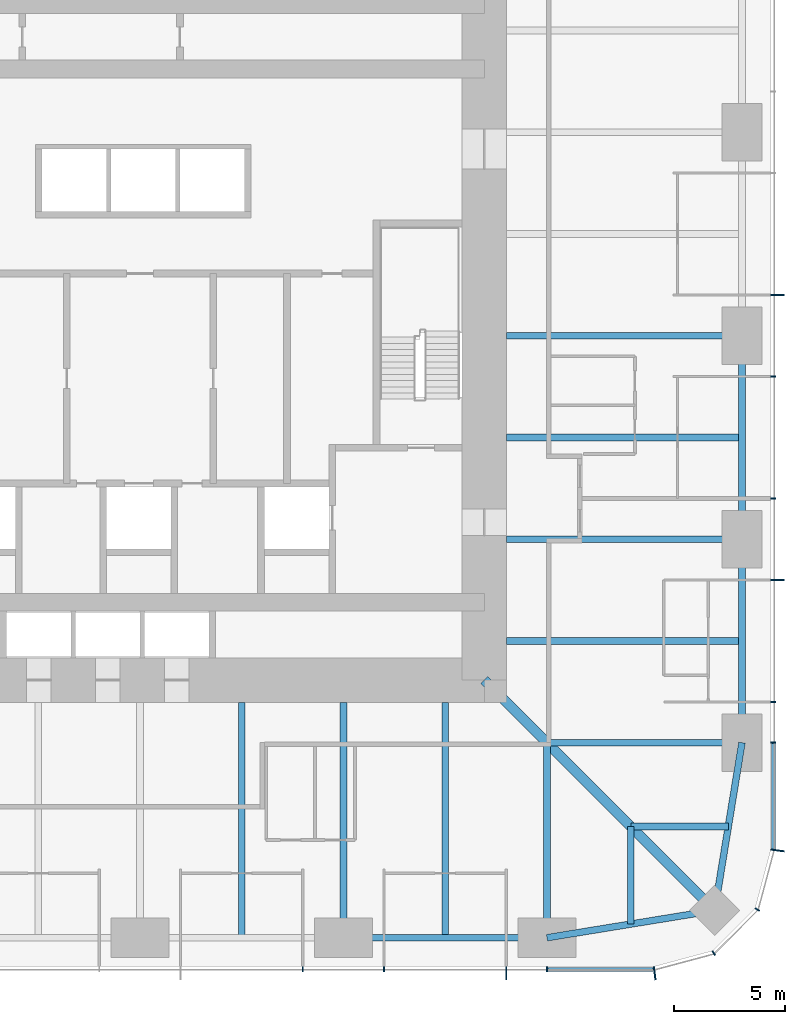
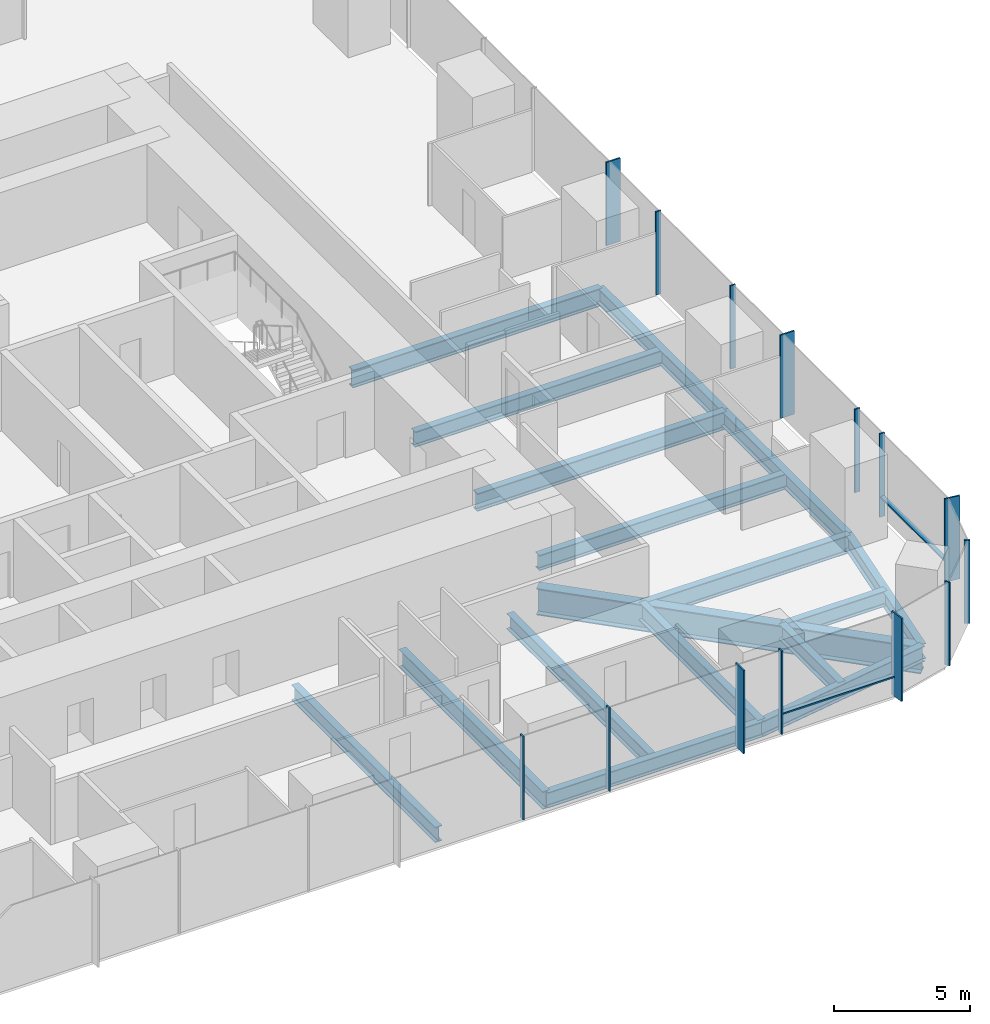
# One storey, part 4 of 12: 17 beams, 16 members, 3 elements without a shape of their own.
"""IFC4 building model written with IfcOpenShell, lengths in metres."""

from ifc_helpers import new_model, si_unit, direction, frame, origin, origin_2d, place, context, subcontext, project, spatial, rectangle, i_section, extrude, material, material_profile, profile_set, type_object, element, aggregate, save


model = new_model("IFC4")

# Units and contexts
model_context = context("Model", 3, precision=1e-05, world=origin(), true_north=direction((0.0, 1.0)))
body_context = subcontext(model_context, "Body", "Model", "MODEL_VIEW")
ifc_project = project(units=[si_unit("LENGTHUNIT", "METRE"), si_unit("AREAUNIT", "SQUARE_METRE"), si_unit("VOLUMEUNIT", "CUBIC_METRE"), si_unit("PLANEANGLEUNIT", "RADIAN"), si_unit("MASSUNIT", "GRAM", prefix="KILO")], contexts=[model_context])

# Site, building, storey
site_placement = place(None, origin())
site = spatial("IfcSite", under=ifc_project, at=site_placement, CompositionType="ELEMENT")
building_placement = place(site_placement, origin())
building = spatial("IfcBuilding", under=site, at=building_placement, Name="Khuree Lantern Residences", CompositionType="ELEMENT")
storey_placement = place(building_placement, frame((0.0, 0.0, 167.25)))
storey = spatial("IfcBuildingStorey", under=building, at=storey_placement, Name="L42", CompositionType="ELEMENT", Elevation=167.25)

# Beams
ifc_material_1 = material(Name="Steel S355", Category="steel")
ifc_material_profile_1 = material_profile(ifc_material_1, i_section(OverallWidth=0.300048828125, OverallDepth=0.68994140625, WebThickness=0.014404296875, FlangeThickness=0.027099609375, FilletRadius=0.027099609375, at=origin_2d()), Name="HE 700 A")
ifc_profile_set_1 = profile_set([ifc_material_profile_1], Name="Steel S355")
beam_type_1 = type_object("IfcBeamType", Name="B-24 SECONDARY BEAM HE 700 A", PredefinedType="BEAM", material=ifc_profile_set_1)
for number, where, z_axis, x_axis, name in (
    (1, (27.10009765625, -4.580078125, -0.594970703125), (-1.0, 0.0, 0.0), (0.0, -1.0, 0.0), "Secondary beam E4"),
    (2, (27.10009765625, -13.739990234375, -0.594970703125), (-1.0, 0.0, 0.0), (0.0, -1.0, 0.0), "Secondary beam E5"),
):
    element("IfcBeam", number, at=place(storey_placement, frame(where, z_axis=z_axis, x_axis=x_axis)), inside=storey, type_object=beam_type_1, Name=name, PredefinedType="BEAM", context=body_context, shape_type="SweptSolid", body=[
        extrude(i_section(OverallWidth=0.300048828125, OverallDepth=0.68994140625, WebThickness=0.014404296875, FlangeThickness=0.027099609375, FilletRadius=0.027099609375, at=origin_2d()), origin(), (0.0, 0.0, 1.0), 10.60009765625),
    ])
for number, where, z_axis, x_axis, name in (
    (3, (26.48486328125, -22.094970703125, -0.594970703125), (-1.0, 0.0, 0.0), (0.0, -1.0, 0.0), "Secondary beam E6"),
    (4, (22.094970703125, -26.48486328125, -0.594970703125), (0.0, 1.0, 0.0), (-1.0, 0.0, 0.0), "Secondary beam S1"),
):
    element("IfcBeam", number, at=place(storey_placement, frame(where, z_axis=z_axis, x_axis=x_axis)), inside=storey, type_object=beam_type_1, Name=name, PredefinedType="BEAM", context=body_context, shape_type="SweptSolid", body=[
        extrude(i_section(OverallWidth=0.300048828125, OverallDepth=0.68994140625, WebThickness=0.014404296875, FlangeThickness=0.027099609375, FilletRadius=0.027099609375, at=origin_2d()), origin(), (0.0, 0.0, 1.0), 4.389892578125),
    ])
for number, where, z_axis, x_axis, name in (
    (5, (13.739990234375, -27.10009765625, -0.594970703125), (0.0, 1.0, 0.0), (-1.0, 0.0, 0.0), "Secondary beam S2"),
    (6, (4.580078125, -27.10009765625, -0.594970703125), (0.0, 1.0, 0.0), (-1.0, 0.0, 0.0), "Secondary beam S3"),
):
    element("IfcBeam", number, at=place(storey_placement, frame(where, z_axis=z_axis, x_axis=x_axis)), inside=storey, type_object=beam_type_1, Name=name, PredefinedType="BEAM", context=body_context, shape_type="SweptSolid", body=[
        extrude(i_section(OverallWidth=0.300048828125, OverallDepth=0.68994140625, WebThickness=0.014404296875, FlangeThickness=0.027099609375, FilletRadius=0.027099609375, at=origin_2d()), origin(), (0.0, 0.0, 1.0), 10.60009765625),
    ])
ifc_material_profile_2 = material_profile(ifc_material_1, i_section(OverallWidth=0.300048828125, OverallDepth=0.68994140625, WebThickness=0.014404296875, FlangeThickness=0.027099609375, FilletRadius=0.027099609375, at=origin_2d()), Name="HE 700 A")
ifc_profile_set_2 = profile_set([ifc_material_profile_2], Name="Steel S355")
beam_type_2 = type_object("IfcBeamType", Name="E-24 SPANDREL BEAM HE 700 A", PredefinedType="SPANDREL", material=ifc_profile_set_2)
beam_1_placement = place(storey_placement, frame((27.10009765625, 0.0, -0.594970703125), z_axis=(0.0, -1.0, 0.0), x_axis=(1.0, 0.0, 0.0)))
element("IfcBeam", 7, at=beam_1_placement, inside=storey, type_object=beam_type_2, Name="Spandrel beam E4", PredefinedType="SPANDREL", context=body_context, shape_type="SweptSolid", body=[
    extrude(i_section(OverallWidth=0.300048828125, OverallDepth=0.68994140625, WebThickness=0.014404296875, FlangeThickness=0.027099609375, FilletRadius=0.027099609375, at=origin_2d()), origin(), (0.0, 0.0, 1.0), 9.159912109375),
])
beam_2_placement = place(storey_placement, frame((27.10009765625, -9.159912109375, -0.594970703125), z_axis=(0.0, -1.0, 0.0), x_axis=(1.0, 0.0, 0.0)))
element("IfcBeam", 8, at=beam_2_placement, inside=storey, type_object=beam_type_2, Name="Spandrel beam E5", PredefinedType="SPANDREL", context=body_context, shape_type="SweptSolid", body=[
    extrude(i_section(OverallWidth=0.300048828125, OverallDepth=0.68994140625, WebThickness=0.014404296875, FlangeThickness=0.027099609375, FilletRadius=0.027099609375, at=origin_2d()), origin(), (0.0, 0.0, 1.0), 9.16015625),
])
for number, where, z_axis, x_axis, name in (
    (9, (27.10009765625, -18.320068359375, -0.594970703125), (-0.160826723833, -0.986982656839, 0.0), (0.986982656839, -0.160826723833, 0.0), "Spandrel beam E6"),
    (10, (25.869873046875, -25.869873046875, -0.594970703125), (-0.986982656839, -0.160826723833, 0.0), (0.160826723833, -0.986982656839, 0.0), "Spandrel beam S1"),
):
    element("IfcBeam", number, at=place(storey_placement, frame(where, z_axis=z_axis, x_axis=x_axis)), inside=storey, type_object=beam_type_2, Name=name, PredefinedType="SPANDREL", context=body_context, shape_type="SweptSolid", body=[
        extrude(i_section(OverallWidth=0.300048828125, OverallDepth=0.68994140625, WebThickness=0.014404296875, FlangeThickness=0.027099609375, FilletRadius=0.027099609375, at=origin_2d()), origin(), (0.0, 0.0, 1.0), 7.6494140625),
    ])
beam_3_placement = place(storey_placement, frame((18.320068359375, -27.10009765625, -0.594970703125), z_axis=(-1.0, 0.0, 0.0), x_axis=(0.0, -1.0, 0.0)))
element("IfcBeam", 11, at=beam_3_placement, inside=storey, type_object=beam_type_2, Name="Spandrel beam S2", PredefinedType="SPANDREL", context=body_context, shape_type="SweptSolid", body=[
    extrude(i_section(OverallWidth=0.300048828125, OverallDepth=0.68994140625, WebThickness=0.014404296875, FlangeThickness=0.027099609375, FilletRadius=0.027099609375, at=origin_2d()), origin(), (0.0, 0.0, 1.0), 9.16015625),
])

# Curtain wall, member
ifc_material_2 = material(Name="Bronze anodised aluminium", Category="aluminium")
curtain_wall_type_1 = type_object("IfcCurtainWallType", Name="CW-T2 TOWER CORNER CURTAIN WALL", PredefinedType="USERDEFINED", material=ifc_material_2)
curtain_wall_1_placement = place(storey_placement, origin())
curtain_wall_1 = element("IfcCurtainWall", 12, at=curtain_wall_1_placement, inside=storey, type_object=curtain_wall_type_1, Name="L42 SOUTH-EAST CORNER CURTAIN WALL", ObjectType="Faceted corner curtain wall", PredefinedType="USERDEFINED")
ifc_material_profile_3 = material_profile(ifc_material_2, rectangle(XDim=0.06494140625, YDim=0.60009765625, at=origin_2d()), Name="F1 65X600")
ifc_profile_set_3 = profile_set([ifc_material_profile_3], Name="Bronze anodised aluminium")
member_type_1 = type_object("IfcMemberType", Name="F1 BRONZE FIN MULLION TOWER 65X600", PredefinedType="MULLION", material=ifc_profile_set_3)
member_1_placement = place(storey_placement, frame((23.169677734375, -28.7001953125, 0.0), z_axis=(0.0, 0.0, 1.0), x_axis=(0.991444857305, 0.130526223125, 0.0)))
member_1 = element("IfcMember", 13, at=member_1_placement, type_object=member_type_1, Name="L42 SOUTH-EAST CORNER FIN MULLION 1", PredefinedType="MULLION", context=body_context, shape_type="SweptSolid", body=[
    extrude(rectangle(XDim=0.06494140625, YDim=0.60009765625, at=origin_2d()), origin(), (0.0, 0.0, 1.0), 3.75),
])

# Curtain wall, members
curtain_wall_type_2 = type_object("IfcCurtainWallType", Name="CW-T1 TOWER FACE CURTAIN WALL", PredefinedType="USERDEFINED", material=ifc_material_2)
curtain_wall_2_placement = place(storey_placement, origin())
curtain_wall_2 = element("IfcCurtainWall", 14, at=curtain_wall_2_placement, inside=storey, type_object=curtain_wall_type_2, Name="L42 EAST FACE CURTAIN WALL", ObjectType="Stick-built curtain wall", PredefinedType="USERDEFINED")
member_2_placement = place(storey_placement, frame((28.7001953125, -23.169677734375, 0.0), z_axis=(0.0, 0.0, 1.0), x_axis=(0.130526223125, 0.991444857305, 0.0)))
member_2 = element("IfcMember", 15, at=member_2_placement, type_object=member_type_1, Name="L42 EAST FACE FIN MULLION 4", PredefinedType="MULLION", context=body_context, shape_type="SweptSolid", body=[
    extrude(rectangle(XDim=0.06494140625, YDim=0.60009765625, at=origin_2d()), origin(), (0.0, 0.0, 1.0), 3.75),
])
member_3_placement = place(storey_placement, frame((28.699951171875, -10.991943359375, 0.0), z_axis=(0.0, 0.0, 1.0), x_axis=(0.0, 1.0, 0.0)))
member_3 = element("IfcMember", 16, at=member_3_placement, type_object=member_type_1, Name="L42 EAST FACE FIN MULLION 7", PredefinedType="MULLION", context=body_context, shape_type="SweptSolid", body=[
    extrude(rectangle(XDim=0.06494140625, YDim=0.60009765625, at=origin_2d()), origin(), (0.0, 0.0, 1.0), 3.75),
])
member_4_placement = place(storey_placement, frame((28.699951171875, 1.83203125, 0.0), z_axis=(0.0, 0.0, 1.0), x_axis=(0.0, 1.0, 0.0)))
member_4 = element("IfcMember", 17, at=member_4_placement, type_object=member_type_1, Name="L42 EAST FACE FIN MULLION 10", PredefinedType="MULLION", context=body_context, shape_type="SweptSolid", body=[
    extrude(rectangle(XDim=0.06494140625, YDim=0.60009765625, at=origin_2d()), origin(), (0.0, 0.0, 1.0), 3.75),
])

# Curtain wall, member
curtain_wall_3_placement = place(storey_placement, origin())
curtain_wall_3 = element("IfcCurtainWall", 18, at=curtain_wall_3_placement, inside=storey, type_object=curtain_wall_type_2, Name="L42 SOUTH FACE CURTAIN WALL", ObjectType="Stick-built curtain wall", PredefinedType="USERDEFINED")
member_5_placement = place(storey_placement, frame((16.488037109375, -28.699951171875, 0.0), z_axis=(0.0, 0.0, 1.0), x_axis=(1.0, 0.0, 0.0)))
member_5 = element("IfcMember", 19, at=member_5_placement, type_object=member_type_1, Name="L42 SOUTH FACE FIN MULLION 55", PredefinedType="MULLION", context=body_context, shape_type="SweptSolid", body=[
    extrude(rectangle(XDim=0.06494140625, YDim=0.60009765625, at=origin_2d()), origin(), (0.0, 0.0, 1.0), 3.75),
])

# Beams
ifc_material_profile_4 = material_profile(ifc_material_1, i_section(OverallWidth=0.300048828125, OverallDepth=0.800048828125, WebThickness=0.017578125, FlangeThickness=0.032958984375, FilletRadius=0.030029296875, at=origin_2d()), Name="HE 800 B")
ifc_profile_set_4 = profile_set([ifc_material_profile_4], Name="Steel S355")
beam_type_3 = type_object("IfcBeamType", Name="G-24 GIRDER HE 800 B", PredefinedType="BEAM", material=ifc_profile_set_4)
for number, where, z_axis, x_axis, name in (
    (20, (27.10009765625, 0.0, -0.64990234375), (-1.0, 0.0, 0.0), (0.0, -1.0, 0.0), "Girder E3"),
    (21, (27.10009765625, -9.159912109375, -0.64990234375), (-1.0, 0.0, 0.0), (0.0, -1.0, 0.0), "Girder E4"),
):
    element("IfcBeam", number, at=place(storey_placement, frame(where, z_axis=z_axis, x_axis=x_axis)), inside=storey, type_object=beam_type_3, Name=name, PredefinedType="BEAM", context=body_context, shape_type="SweptSolid", body=[
        extrude(i_section(OverallWidth=0.300048828125, OverallDepth=0.800048828125, WebThickness=0.017578125, FlangeThickness=0.032958984375, FilletRadius=0.030029296875, at=origin_2d()), origin(), (0.0, 0.0, 1.0), 10.60009765625),
    ])
for number, where, z_axis, x_axis, name in (
    (22, (27.10009765625, -18.320068359375, -0.64990234375), (-1.0, 0.0, 0.0), (0.0, -1.0, 0.0), "Girder E5"),
    (23, (18.320068359375, -27.10009765625, -0.64990234375), (0.0, 1.0, 0.0), (-1.0, 0.0, 0.0), "Girder S1"),
):
    element("IfcBeam", number, at=place(storey_placement, frame(where, z_axis=z_axis, x_axis=x_axis)), inside=storey, type_object=beam_type_3, Name=name, PredefinedType="BEAM", context=body_context, shape_type="SweptSolid", body=[
        extrude(i_section(OverallWidth=0.300048828125, OverallDepth=0.800048828125, WebThickness=0.017578125, FlangeThickness=0.032958984375, FilletRadius=0.030029296875, at=origin_2d()), origin(), (0.0, 0.0, 1.0), 8.780029296875),
    ])
beam_4_placement = place(storey_placement, frame((9.159912109375, -27.10009765625, -0.64990234375), z_axis=(0.0, 1.0, 0.0), x_axis=(-1.0, 0.0, 0.0)))
element("IfcBeam", 24, at=beam_4_placement, inside=storey, type_object=beam_type_3, Name="Girder S2", PredefinedType="BEAM", context=body_context, shape_type="SweptSolid", body=[
    extrude(i_section(OverallWidth=0.300048828125, OverallDepth=0.800048828125, WebThickness=0.017578125, FlangeThickness=0.032958984375, FilletRadius=0.030029296875, at=origin_2d()), origin(), (0.0, 0.0, 1.0), 10.60009765625),
])
ifc_material_profile_5 = material_profile(ifc_material_1, i_section(OverallWidth=0.449951171875, OverallDepth=1.199951171875, WebThickness=0.02490234375, FlangeThickness=0.044921875, at=origin_2d()), Name="WELDED I 1200X450X25X45")
ifc_profile_set_5 = profile_set([ifc_material_profile_5], Name="Steel S355")
beam_type_4 = type_object("IfcBeamType", Name="GD-24 CORNER GIRDER WELDED I 1200X450X25X45", PredefinedType="BEAM", material=ifc_profile_set_5)
beam_5_placement = place(storey_placement, frame((25.869873046875, -25.869873046875, -0.85009765625), z_axis=(-0.707106781187, 0.707106781187, 0.0), x_axis=(-0.707106781187, -0.707106781187, 0.0)))
element("IfcBeam", 25, at=beam_5_placement, inside=storey, type_object=beam_type_4, Name="Corner girder SE", PredefinedType="BEAM", context=body_context, shape_type="SweptSolid", body=[
    extrude(i_section(OverallWidth=0.449951171875, OverallDepth=1.199951171875, WebThickness=0.02490234375, FlangeThickness=0.044921875, at=origin_2d()), origin(), (0.0, 0.0, 1.0), 14.665283203125),
])

# Member
ifc_material_profile_6 = material_profile(ifc_material_2, rectangle(XDim=0.06494140625, YDim=0.219970703125, at=origin_2d()), Name="M1 65X220")
ifc_profile_set_6 = profile_set([ifc_material_profile_6], Name="Bronze anodised aluminium")
member_type_2 = type_object("IfcMemberType", Name="M1 BRONZE MULLION TOWER 65X220", PredefinedType="MULLION", material=ifc_profile_set_6)
member_6_placement = place(storey_placement, frame((25.830078125, -27.7919921875, 0.0), z_axis=(0.0, 0.0, 1.0), x_axis=(0.866025388199, 0.500000026995, 0.0)))
member_6 = element("IfcMember", 26, at=member_6_placement, type_object=member_type_2, Name="L42 SOUTH-EAST CORNER MULLION 2", PredefinedType="MULLION", context=body_context, shape_type="SweptSolid", body=[
    extrude(rectangle(XDim=0.06494140625, YDim=0.219970703125, at=origin_2d()), origin(), (0.0, 0.0, 1.0), 3.75),
])

member_7_placement = place(storey_placement, frame((27.7919921875, -25.830078125, 0.0), z_axis=(0.0, 0.0, 1.0), x_axis=(0.500000026995, 0.866025388199, 0.0)))
member_7 = element("IfcMember", 27, at=member_7_placement, type_object=member_type_2, Name="L42 SOUTH-EAST CORNER MULLION 3", PredefinedType="MULLION", context=body_context, shape_type="SweptSolid", body=[
    extrude(rectangle(XDim=0.06494140625, YDim=0.219970703125, at=origin_2d()), origin(), (0.0, 0.0, 1.0), 3.75),
])

aggregate(curtain_wall_1, [member_1, member_6, member_7])

member_8_placement = place(storey_placement, frame((28.510009765625, -18.320068359375, 0.0), z_axis=(0.0, 0.0, 1.0), x_axis=(0.0, 1.0, 0.0)))
member_8 = element("IfcMember", 28, at=member_8_placement, type_object=member_type_2, Name="L42 EAST FACE MULLION 5", PredefinedType="MULLION", context=body_context, shape_type="SweptSolid", body=[
    extrude(rectangle(XDim=0.06494140625, YDim=0.219970703125, at=origin_2d()), origin(), (0.0, 0.0, 1.0), 3.75),
])

member_9_placement = place(storey_placement, frame((28.510009765625, -16.488037109375, 0.0), z_axis=(0.0, 0.0, 1.0), x_axis=(0.0, 1.0, 0.0)))
member_9 = element("IfcMember", 29, at=member_9_placement, type_object=member_type_2, Name="L42 EAST FACE MULLION 6", PredefinedType="MULLION", context=body_context, shape_type="SweptSolid", body=[
    extrude(rectangle(XDim=0.06494140625, YDim=0.219970703125, at=origin_2d()), origin(), (0.0, 0.0, 1.0), 3.75),
])

member_10_placement = place(storey_placement, frame((28.510009765625, -7.327880859375, 0.0), z_axis=(0.0, 0.0, 1.0), x_axis=(0.0, 1.0, 0.0)))
member_10 = element("IfcMember", 30, at=member_10_placement, type_object=member_type_2, Name="L42 EAST FACE MULLION 8", PredefinedType="MULLION", context=body_context, shape_type="SweptSolid", body=[
    extrude(rectangle(XDim=0.06494140625, YDim=0.219970703125, at=origin_2d()), origin(), (0.0, 0.0, 1.0), 3.75),
])

member_11_placement = place(storey_placement, frame((28.510009765625, -1.83203125, 0.0), z_axis=(0.0, 0.0, 1.0), x_axis=(0.0, 1.0, 0.0)))
member_11 = element("IfcMember", 31, at=member_11_placement, type_object=member_type_2, Name="L42 EAST FACE MULLION 9", PredefinedType="MULLION", context=body_context, shape_type="SweptSolid", body=[
    extrude(rectangle(XDim=0.06494140625, YDim=0.219970703125, at=origin_2d()), origin(), (0.0, 0.0, 1.0), 3.75),
])

member_12_placement = place(storey_placement, frame((7.327880859375, -28.510009765625, 0.0), z_axis=(0.0, 0.0, 1.0), x_axis=(1.0, 0.0, 0.0)))
member_12 = element("IfcMember", 32, at=member_12_placement, type_object=member_type_2, Name="L42 SOUTH FACE MULLION 53", PredefinedType="MULLION", context=body_context, shape_type="SweptSolid", body=[
    extrude(rectangle(XDim=0.06494140625, YDim=0.219970703125, at=origin_2d()), origin(), (0.0, 0.0, 1.0), 3.75),
])

member_13_placement = place(storey_placement, frame((10.991943359375, -28.510009765625, 0.0), z_axis=(0.0, 0.0, 1.0), x_axis=(1.0, 0.0, 0.0)))
member_13 = element("IfcMember", 33, at=member_13_placement, type_object=member_type_2, Name="L42 SOUTH FACE MULLION 54", PredefinedType="MULLION", context=body_context, shape_type="SweptSolid", body=[
    extrude(rectangle(XDim=0.06494140625, YDim=0.219970703125, at=origin_2d()), origin(), (0.0, 0.0, 1.0), 3.75),
])

member_14_placement = place(storey_placement, frame((18.320068359375, -28.510009765625, 0.0), z_axis=(0.0, 0.0, 1.0), x_axis=(1.0, 0.0, 0.0)))
member_14 = element("IfcMember", 34, at=member_14_placement, type_object=member_type_2, Name="L42 SOUTH FACE MULLION 56", PredefinedType="MULLION", context=body_context, shape_type="SweptSolid", body=[
    extrude(rectangle(XDim=0.06494140625, YDim=0.219970703125, at=origin_2d()), origin(), (0.0, 0.0, 1.0), 3.75),
])

ifc_material_profile_7 = material_profile(ifc_material_2, rectangle(XDim=0.179931640625, YDim=0.06494140625, at=origin_2d()), Name="T1 180X65")
ifc_profile_set_7 = profile_set([ifc_material_profile_7], Name="Bronze anodised aluminium")
member_type_3 = type_object("IfcMemberType", Name="TRANSOM T1 TOWER 180X65", PredefinedType="USERDEFINED", material=ifc_profile_set_7)
member_15_placement = place(storey_placement, frame((28.52001953125, -23.101318359375, 0.89990234375), z_axis=(0.0, 1.0, 0.0), x_axis=(-1.0, 0.0, 0.0)))
member_15 = element("IfcMember", 35, at=member_15_placement, type_object=member_type_3, Name="L42 EAST FACE TRANSOM 4.1", ObjectType="Transom", PredefinedType="USERDEFINED", context=body_context, shape_type="SweptSolid", body=[
    extrude(rectangle(XDim=0.179931640625, YDim=0.06494140625, at=origin_2d()), origin(), (0.0, 0.0, 1.0), 4.748779296875),
])

aggregate(curtain_wall_2, [member_2, member_8, member_9, member_3, member_10, member_11, member_4, member_15])

member_16_placement = place(storey_placement, frame((18.3525390625, -28.52001953125, 0.89990234375), z_axis=(1.0, 0.0, 0.0), x_axis=(0.0, 1.0, 0.0)))
member_16 = element("IfcMember", 36, at=member_16_placement, type_object=member_type_3, Name="L42 SOUTH FACE TRANSOM 56.1", ObjectType="Transom", PredefinedType="USERDEFINED", context=body_context, shape_type="SweptSolid", body=[
    extrude(rectangle(XDim=0.179931640625, YDim=0.06494140625, at=origin_2d()), origin(), (0.0, 0.0, 1.0), 4.748779296875),
])

aggregate(curtain_wall_3, [member_12, member_13, member_5, member_14, member_16])

save(model, "model.ifc")
